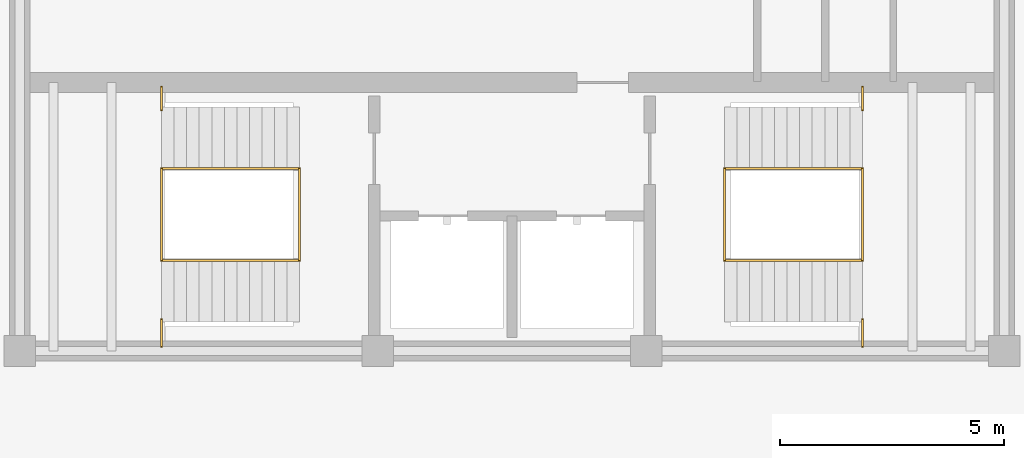
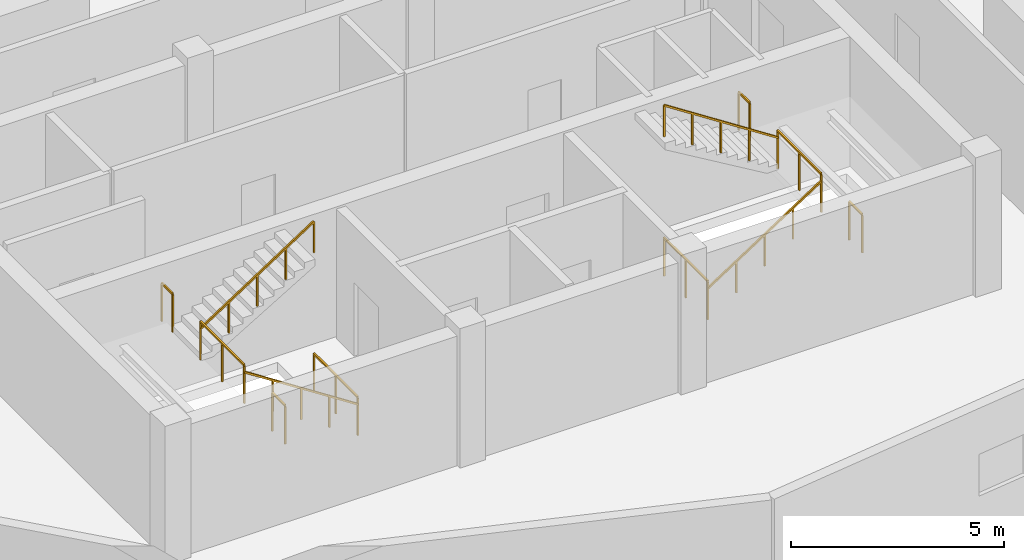
# One storey, part 4 of 5: 12 railings.
"""IFC4 building model written with IfcOpenShell, lengths in metres."""

from ifc_helpers import new_model, si_unit, direction, frame, origin, origin_2d, place, context, subcontext, project, spatial, rectangle, extrude, material, type_object, element, save


model = new_model("IFC4")

# Units and contexts
model_context = context("Model", 3, precision=1e-05, world=origin(), true_north=direction((0.0, 1.0)))
body_context = subcontext(model_context, "Body", "Model", "MODEL_VIEW")
ifc_project = project(units=[si_unit("LENGTHUNIT", "METRE"), si_unit("AREAUNIT", "SQUARE_METRE"), si_unit("VOLUMEUNIT", "CUBIC_METRE"), si_unit("PLANEANGLEUNIT", "RADIAN"), si_unit("MASSUNIT", "GRAM", prefix="KILO")], contexts=[model_context])

# Site, building, storey
site_placement = place(None, origin())
site = spatial("IfcSite", under=ifc_project, at=site_placement, CompositionType="ELEMENT")
building_placement = place(site_placement, origin())
building = spatial("IfcBuilding", under=site, at=building_placement, Name="Kazevale Care Tower and Concert Hall", CompositionType="ELEMENT")
storey_placement = place(building_placement, frame((0.0, 0.0, 296.800048828125)))
storey = spatial("IfcBuildingStorey", under=building, at=storey_placement, Name="L78", CompositionType="ELEMENT", Elevation=296.800048828125)

# Railings
ifc_material = material(Name="Stainless Steel 316", Category="steel")
railing_type_1 = type_object("IfcRailingType", Name="Stair Pitch Handrail 920", PredefinedType="HANDRAIL", material=ifc_material)
railing_1_placement = place(storey_placement, frame((28.25, 25.6201171875, 0.0)))
element("IfcRailing", 1, at=railing_1_placement, inside=storey, type_object=railing_type_1, Name="stair:L78:ST1:hr1", PredefinedType="HANDRAIL", context=body_context, shape_type="SweptSolid", body=[
    extrude(rectangle(XDim=0.048095703125, YDim=0.048095703125, at=origin_2d()), frame((0.0, 0.0, 0.89599609375), z_axis=(-0.838698691485, 0.0, 0.544595726113), x_axis=(0.0, -1.0, 0.0)), (0.0, 0.0, 1.0), 3.67236328125),
    extrude(rectangle(XDim=0.0419921875, YDim=0.0419921875, at=origin_2d()), origin(), (0.0, 0.0, 1.0), 0.871826171875),
    extrude(rectangle(XDim=0.0419921875, YDim=0.0419921875, at=origin_2d()), frame((-0.77001953125, 0.0, 0.5)), (0.0, 0.0, 1.0), 0.871826171875),
    extrude(rectangle(XDim=0.0419921875, YDim=0.0419921875, at=origin_2d()), frame((-1.5400390625, 0.0, 1.0)), (0.0, 0.0, 1.0), 0.871826171875),
    extrude(rectangle(XDim=0.0419921875, YDim=0.0419921875, at=origin_2d()), frame((-2.31005859375, 0.0, 1.5)), (0.0, 0.0, 1.0), 0.871826171875),
    extrude(rectangle(XDim=0.0419921875, YDim=0.0419921875, at=origin_2d()), frame((-3.080078125, 0.0, 2.0)), (0.0, 0.0, 1.0), 0.871826171875),
])
for number, where, name in (
    (2, (25.169921875, 27.679931640625, 2.0), "stair:L78:ST1:hr2"),
    (3, (37.75, 25.6201171875, 0.0), "stair:L78:ST2:hr1"),
):
    element("IfcRailing", number, at=place(storey_placement, frame(where)), inside=storey, type_object=railing_type_1, Name=name, PredefinedType="HANDRAIL", context=body_context, shape_type="SweptSolid", body=[
        extrude(rectangle(XDim=0.048095703125, YDim=0.048095703125, at=origin_2d()), frame((0.0, 0.0, 0.89599609375), z_axis=(0.838698691485, 0.0, 0.544595726113), x_axis=(0.0, 1.0, 0.0)), (0.0, 0.0, 1.0), 3.67236328125),
        extrude(rectangle(XDim=0.0419921875, YDim=0.0419921875, at=origin_2d()), origin(), (0.0, 0.0, 1.0), 0.871826171875),
        extrude(rectangle(XDim=0.0419921875, YDim=0.0419921875, at=origin_2d()), frame((0.77001953125, 0.0, 0.5)), (0.0, 0.0, 1.0), 0.871826171875),
        extrude(rectangle(XDim=0.0419921875, YDim=0.0419921875, at=origin_2d()), frame((1.5400390625, 0.0, 1.0)), (0.0, 0.0, 1.0), 0.871826171875),
        extrude(rectangle(XDim=0.0419921875, YDim=0.0419921875, at=origin_2d()), frame((2.31005859375, 0.0, 1.5)), (0.0, 0.0, 1.0), 0.871826171875),
        extrude(rectangle(XDim=0.0419921875, YDim=0.0419921875, at=origin_2d()), frame((3.080078125, 0.0, 2.0)), (0.0, 0.0, 1.0), 0.871826171875),
    ])
railing_2_placement = place(storey_placement, frame((40.830078125, 27.679931640625, 2.0)))
element("IfcRailing", 4, at=railing_2_placement, inside=storey, type_object=railing_type_1, Name="stair:L78:ST2:hr2", PredefinedType="HANDRAIL", context=body_context, shape_type="SweptSolid", body=[
    extrude(rectangle(XDim=0.048095703125, YDim=0.048095703125, at=origin_2d()), frame((0.0, 0.0, 0.89599609375), z_axis=(-0.838698691485, 0.0, 0.544595726113), x_axis=(0.0, -1.0, 0.0)), (0.0, 0.0, 1.0), 3.67236328125),
    extrude(rectangle(XDim=0.0419921875, YDim=0.0419921875, at=origin_2d()), origin(), (0.0, 0.0, 1.0), 0.871826171875),
    extrude(rectangle(XDim=0.0419921875, YDim=0.0419921875, at=origin_2d()), frame((-0.77001953125, 0.0, 0.5)), (0.0, 0.0, 1.0), 0.871826171875),
    extrude(rectangle(XDim=0.0419921875, YDim=0.0419921875, at=origin_2d()), frame((-1.5400390625, 0.0, 1.0)), (0.0, 0.0, 1.0), 0.871826171875),
    extrude(rectangle(XDim=0.0419921875, YDim=0.0419921875, at=origin_2d()), frame((-2.31005859375, 0.0, 1.5)), (0.0, 0.0, 1.0), 0.871826171875),
    extrude(rectangle(XDim=0.0419921875, YDim=0.0419921875, at=origin_2d()), frame((-3.080078125, 0.0, 2.0)), (0.0, 0.0, 1.0), 0.871826171875),
])
railing_type_2 = type_object("IfcRailingType", Name="Stair Well Guard Balustrade 1120", PredefinedType="BALUSTRADE", material=ifc_material)
railing_3_placement = place(storey_placement, frame((25.169921875, 23.699951171875, 2.0)))
element("IfcRailing", 5, at=railing_3_placement, inside=storey, type_object=railing_type_2, Name="stair:L78:ST1:grd_side1", PredefinedType="BALUSTRADE", context=body_context, shape_type="SweptSolid", body=[
    extrude(rectangle(XDim=0.048095703125, YDim=0.048095703125, at=origin_2d()), frame((0.0, 0.0, 1.09619140625), z_axis=(0.0, 1.0, 0.0), x_axis=(-1.0, 0.0, 0.0)), (0.0, 0.0, 1.0), 0.610107421875),
    extrude(rectangle(XDim=0.0419921875, YDim=0.0419921875, at=origin_2d()), origin(), (0.0, 0.0, 1.0), 1.072021484375),
    extrude(rectangle(XDim=0.0419921875, YDim=0.0419921875, at=origin_2d()), frame((0.0, 0.610107421875, 0.0)), (0.0, 0.0, 1.0), 1.072021484375),
])
railing_4_placement = place(storey_placement, frame((25.169921875, 28.989990234375, 2.0)))
element("IfcRailing", 6, at=railing_4_placement, inside=storey, type_object=railing_type_2, Name="stair:L78:ST1:grd_side2", PredefinedType="BALUSTRADE", context=body_context, shape_type="SweptSolid", body=[
    extrude(rectangle(XDim=0.048095703125, YDim=0.048095703125, at=origin_2d()), frame((0.0, 0.0, 1.09619140625), z_axis=(0.0, 1.0, 0.0), x_axis=(-1.0, 0.0, 0.0)), (0.0, 0.0, 1.0), 0.510009765625),
    extrude(rectangle(XDim=0.0419921875, YDim=0.0419921875, at=origin_2d()), origin(), (0.0, 0.0, 1.0), 1.072021484375),
    extrude(rectangle(XDim=0.0419921875, YDim=0.0419921875, at=origin_2d()), frame((0.0, 0.510009765625, 0.0)), (0.0, 0.0, 1.0), 1.072021484375),
])
for number, where, name in (
    (7, (25.169921875, 25.6201171875, 2.0), "stair:L78:ST1:grd_mid"),
    (8, (28.25, 25.6201171875, 0.0), "stair:L78:ST1:grd_flr"),
):
    element("IfcRailing", number, at=place(storey_placement, frame(where)), inside=storey, type_object=railing_type_2, Name=name, PredefinedType="BALUSTRADE", context=body_context, shape_type="SweptSolid", body=[
        extrude(rectangle(XDim=0.048095703125, YDim=0.048095703125, at=origin_2d()), frame((0.0, 0.0, 1.09619140625), z_axis=(0.0, 1.0, 0.0), x_axis=(-1.0, 0.0, 0.0)), (0.0, 0.0, 1.0), 2.059814453125),
        extrude(rectangle(XDim=0.0419921875, YDim=0.0419921875, at=origin_2d()), origin(), (0.0, 0.0, 1.0), 1.072021484375),
        extrude(rectangle(XDim=0.0419921875, YDim=0.0419921875, at=origin_2d()), frame((0.0, 1.02978515625, 0.0)), (0.0, 0.0, 1.0), 1.072021484375),
        extrude(rectangle(XDim=0.0419921875, YDim=0.0419921875, at=origin_2d()), frame((0.0, 2.059814453125, 0.0)), (0.0, 0.0, 1.0), 1.072021484375),
    ])
railing_5_placement = place(storey_placement, frame((40.830078125, 23.699951171875, 2.0)))
element("IfcRailing", 9, at=railing_5_placement, inside=storey, type_object=railing_type_2, Name="stair:L78:ST2:grd_side1", PredefinedType="BALUSTRADE", context=body_context, shape_type="SweptSolid", body=[
    extrude(rectangle(XDim=0.048095703125, YDim=0.048095703125, at=origin_2d()), frame((0.0, 0.0, 1.09619140625), z_axis=(0.0, 1.0, 0.0), x_axis=(-1.0, 0.0, 0.0)), (0.0, 0.0, 1.0), 0.610107421875),
    extrude(rectangle(XDim=0.0419921875, YDim=0.0419921875, at=origin_2d()), origin(), (0.0, 0.0, 1.0), 1.072021484375),
    extrude(rectangle(XDim=0.0419921875, YDim=0.0419921875, at=origin_2d()), frame((0.0, 0.610107421875, 0.0)), (0.0, 0.0, 1.0), 1.072021484375),
])
railing_6_placement = place(storey_placement, frame((40.830078125, 28.989990234375, 2.0)))
element("IfcRailing", 10, at=railing_6_placement, inside=storey, type_object=railing_type_2, Name="stair:L78:ST2:grd_side2", PredefinedType="BALUSTRADE", context=body_context, shape_type="SweptSolid", body=[
    extrude(rectangle(XDim=0.048095703125, YDim=0.048095703125, at=origin_2d()), frame((0.0, 0.0, 1.09619140625), z_axis=(0.0, 1.0, 0.0), x_axis=(-1.0, 0.0, 0.0)), (0.0, 0.0, 1.0), 0.510009765625),
    extrude(rectangle(XDim=0.0419921875, YDim=0.0419921875, at=origin_2d()), origin(), (0.0, 0.0, 1.0), 1.072021484375),
    extrude(rectangle(XDim=0.0419921875, YDim=0.0419921875, at=origin_2d()), frame((0.0, 0.510009765625, 0.0)), (0.0, 0.0, 1.0), 1.072021484375),
])
for number, where, name in (
    (11, (40.830078125, 25.6201171875, 2.0), "stair:L78:ST2:grd_mid"),
    (12, (37.75, 25.6201171875, 0.0), "stair:L78:ST2:grd_flr"),
):
    element("IfcRailing", number, at=place(storey_placement, frame(where)), inside=storey, type_object=railing_type_2, Name=name, PredefinedType="BALUSTRADE", context=body_context, shape_type="SweptSolid", body=[
        extrude(rectangle(XDim=0.048095703125, YDim=0.048095703125, at=origin_2d()), frame((0.0, 0.0, 1.09619140625), z_axis=(0.0, 1.0, 0.0), x_axis=(-1.0, 0.0, 0.0)), (0.0, 0.0, 1.0), 2.059814453125),
        extrude(rectangle(XDim=0.0419921875, YDim=0.0419921875, at=origin_2d()), origin(), (0.0, 0.0, 1.0), 1.072021484375),
        extrude(rectangle(XDim=0.0419921875, YDim=0.0419921875, at=origin_2d()), frame((0.0, 1.02978515625, 0.0)), (0.0, 0.0, 1.0), 1.072021484375),
        extrude(rectangle(XDim=0.0419921875, YDim=0.0419921875, at=origin_2d()), frame((0.0, 2.059814453125, 0.0)), (0.0, 0.0, 1.0), 1.072021484375),
    ])

save(model, "model.ifc")
